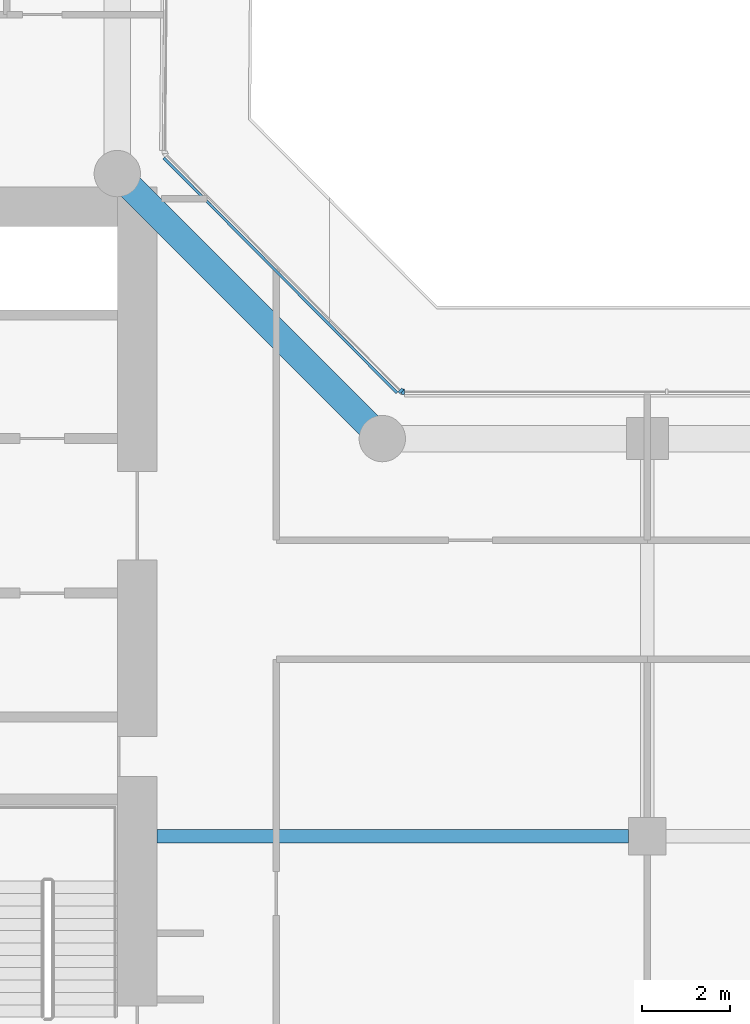
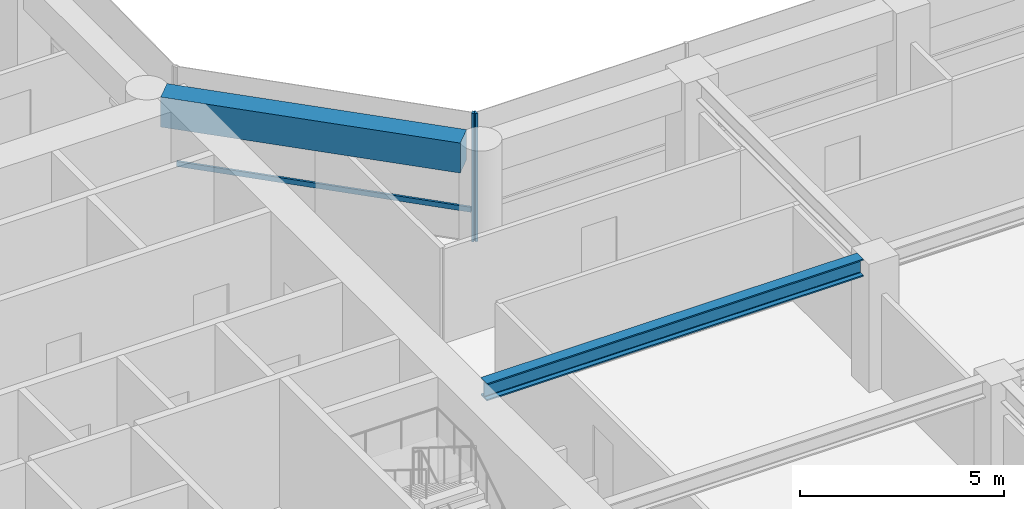
# One storey, part 6 of 29: 3 members, 2 beams, 2 elements without a shape of their own.
"""IFC4 building model written with IfcOpenShell, lengths in metres."""

from ifc_helpers import new_model, si_unit, direction, frame, origin, origin_2d, place, context, subcontext, project, spatial, rectangle, i_section, extrude, material, layer, layer_set, material_profile, profile_set, type_object, element, aggregate, save


model = new_model("IFC4")

# Units and contexts
model_context = context("Model", 3, precision=1e-05, world=origin(), true_north=direction((0.0, 1.0)))
body_context = subcontext(model_context, "Body", "Model", "MODEL_VIEW")
ifc_project = project(units=[si_unit("LENGTHUNIT", "METRE"), si_unit("AREAUNIT", "SQUARE_METRE"), si_unit("VOLUMEUNIT", "CUBIC_METRE"), si_unit("PLANEANGLEUNIT", "RADIAN"), si_unit("MASSUNIT", "GRAM", prefix="KILO")], contexts=[model_context])

# Site, building, storey
site_placement = place(None, origin())
site = spatial("IfcSite", under=ifc_project, at=site_placement, CompositionType="ELEMENT")
building_placement = place(site_placement, origin())
building = spatial("IfcBuilding", under=site, at=building_placement, Name="Welwitschia Terrace Campus", CompositionType="ELEMENT")
storey_placement = place(building_placement, frame((0.0, 0.0, 50.0)))
storey = spatial("IfcBuildingStorey", under=building, at=storey_placement, Name="L11", CompositionType="ELEMENT", Elevation=50.0)

# Beam
ifc_material_1 = material(Name="Steel S355", Category="steel")
ifc_material_profile_1 = material_profile(ifc_material_1, i_section(OverallWidth=0.305908203125, OverallDepth=0.52392578125, WebThickness=0.02099609375, FlangeThickness=0.0400390625, FilletRadius=0.027099609375, at=origin_2d()))
ifc_profile_set_1 = profile_set([ifc_material_profile_1], Name="Steel S355")
beam_type_1 = type_object("IfcBeamType", Name="Interior girder HE 500 M", PredefinedType="BEAM", material=ifc_profile_set_1)
beam_1_placement = place(storey_placement, frame((24.90087890625, 11.0, 3.587890625), z_axis=(1.0, 0.0, 0.0), x_axis=(0.0, 1.0, 0.0)))
element("IfcBeam", 1, at=beam_1_placement, inside=storey, type_object=beam_type_1, Name="Girder GB2", PredefinedType="BEAM", context=body_context, shape_type="SweptSolid", body=[
    extrude(i_section(OverallWidth=0.305908203125, OverallDepth=0.52392578125, WebThickness=0.02099609375, FlangeThickness=0.0400390625, FilletRadius=0.027099609375, at=origin_2d()), origin(), (0.0, 0.0, 1.0), 10.673583984375),
])

# Curtain wall, member
ifc_material_2 = material(Name="Bronze anodised aluminium", Category="aluminium")
ifc_layer = layer(ifc_material_2, 0.1201171875)
ifc_layer_set = layer_set([ifc_layer], Name="Bronze anodised aluminium")
curtain_wall_type = type_object("IfcCurtainWallType", Name="Curtain wall CW2 tower 6000", PredefinedType="NOTDEFINED", material=ifc_layer_set)
curtain_wall_1_placement = place(storey_placement, origin())
curtain_wall_1 = element("IfcCurtainWall", 2, at=curtain_wall_1_placement, inside=storey, type_object=curtain_wall_type, Name="CW L11.6.0", PredefinedType="NOTDEFINED")
ifc_material_3 = material(Name="Bronze anodised aluminium", Category="aluminium")
ifc_material_profile_2 = material_profile(ifc_material_3, rectangle(XDim=0.1201171875, YDim=0.06005859375, at=origin_2d()))
ifc_profile_set_2 = profile_set([ifc_material_profile_2], Name="Bronze anodised aluminium")
member_type_1 = type_object("IfcMemberType", Name="Mullion 60x120", PredefinedType="MULLION", material=ifc_profile_set_2)
member_1_placement = place(storey_placement, frame((30.46826171875, 21.05810546875, 0.0), z_axis=(0.0, 0.0, 1.0), x_axis=(0.0, -1.0, 0.0)))
member_1 = element("IfcMember", 3, at=member_1_placement, type_object=member_type_1, Name="Mullion L11.6.0.5", PredefinedType="MULLION", context=body_context, shape_type="SweptSolid", body=[
    extrude(rectangle(XDim=0.1201171875, YDim=0.06005859375, at=origin_2d()), origin(), (0.0, 0.0, 1.0), 3.85009765625),
])
aggregate(curtain_wall_1, [member_1])

curtain_wall_2_placement = place(storey_placement, origin())
curtain_wall_2 = element("IfcCurtainWall", 4, at=curtain_wall_2_placement, inside=storey, type_object=curtain_wall_type, Name="CW L11.7.0", PredefinedType="NOTDEFINED")
member_2_placement = place(storey_placement, frame((30.417236328125, 21.079345703125, 0.0), z_axis=(0.0, 0.0, 1.0), x_axis=(-0.709608413797, -0.704596266715, 0.0)))
member_2 = element("IfcMember", 5, at=member_2_placement, type_object=member_type_1, Name="Mullion L11.7.0.0", PredefinedType="MULLION", context=body_context, shape_type="SweptSolid", body=[
    extrude(rectangle(XDim=0.1201171875, YDim=0.06005859375, at=origin_2d()), origin(), (0.0, 0.0, 1.0), 3.85009765625),
])

# Beam
ifc_material_4 = material(Name="Concrete C60/75", Category="concrete")
ifc_material_profile_3 = material_profile(ifc_material_4, rectangle(XDim=0.60009765625, YDim=0.89990234375, at=origin_2d()))
ifc_profile_set_3 = profile_set([ifc_material_profile_3], Name="Concrete C60/75")
beam_type_2 = type_object("IfcBeamType", Name="Ring spandrel 600x900", PredefinedType="SPANDREL", material=ifc_profile_set_3)
beam_2_placement = place(storey_placement, frame((29.69482421875, 20.30517578125, 3.39990234375), z_axis=(-0.707106781187, 0.707106781187, 0.0), x_axis=(-0.707106781187, -0.707106781187, 0.0)))
element("IfcBeam", 6, at=beam_2_placement, inside=storey, type_object=beam_type_2, Name="Spandrel SP2", PredefinedType="SPANDREL", context=body_context, shape_type="SweptSolid", body=[
    extrude(rectangle(XDim=0.60009765625, YDim=0.89990234375, at=origin_2d()), origin(), (0.0, 0.0, 1.0), 7.6220703125),
])

# Member
ifc_material_5 = material(Name="Bronze anodised aluminium", Category="aluminium")
ifc_material_profile_4 = material_profile(ifc_material_5, rectangle(XDim=0.06005859375, YDim=0.14990234375, at=origin_2d()))
ifc_profile_set_4 = profile_set([ifc_material_profile_4], Name="Bronze anodised aluminium")
member_type_2 = type_object("IfcMemberType", Name="Transom 60x150", PredefinedType="USERDEFINED", material=ifc_profile_set_4)
member_3_placement = place(storey_placement, frame((30.332275390625, 21.037109375, 1.0), z_axis=(-0.704608626689, 0.70959614091, 0.0), x_axis=(-0.70959614091, -0.704608626689, 0.0)))
member_3 = element("IfcMember", 7, at=member_3_placement, type_object=member_type_2, Name="Transom L11.7.0", ObjectType="TRANSOM", PredefinedType="USERDEFINED", context=body_context, shape_type="SweptSolid", body=[
    extrude(rectangle(XDim=0.06005859375, YDim=0.14990234375, at=origin_2d()), origin(), (0.0, 0.0, 1.0), 7.489501953125),
])

aggregate(curtain_wall_2, [member_2, member_3])

save(model, "model.ifc")
